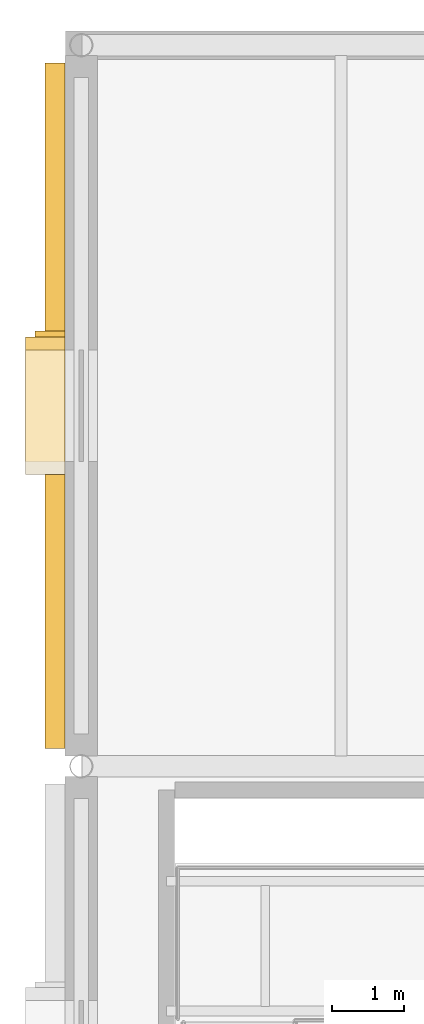
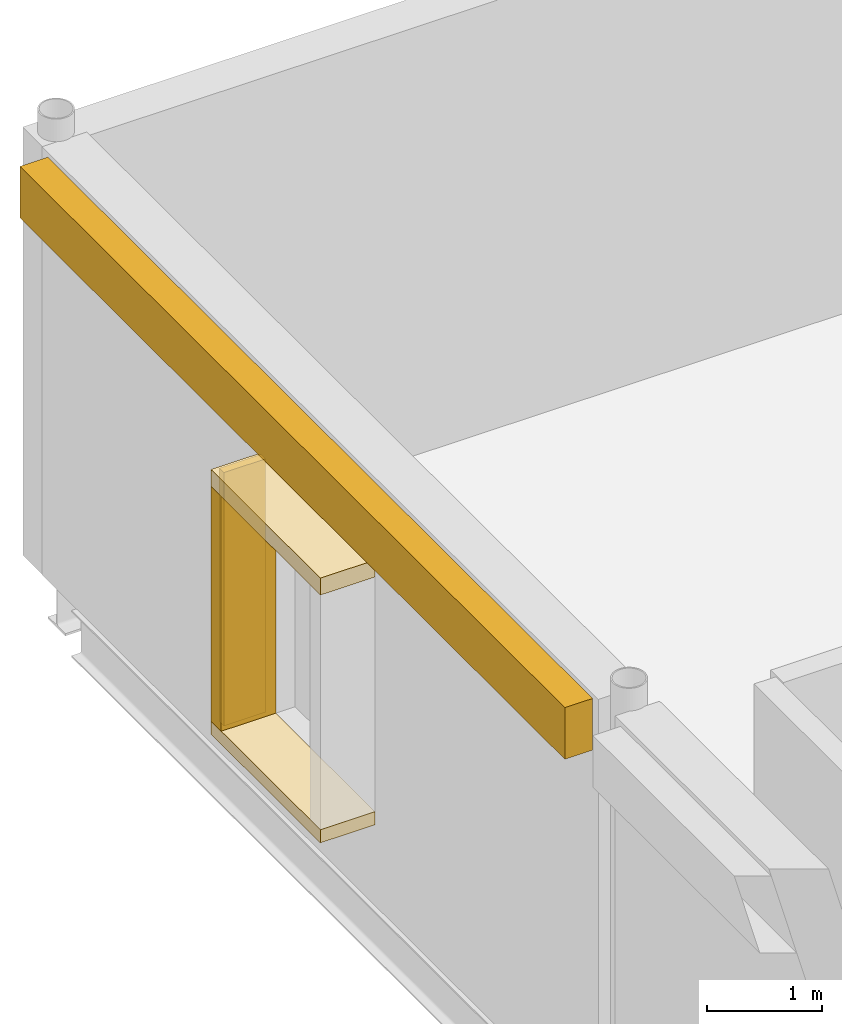
# One storey, part 90 of 92: 4 coverings, 1 shading device.
"""IFC4 building model written with IfcOpenShell, lengths in metres."""

from ifc_helpers import new_model, si_unit, direction, frame, origin, origin_2d, place, context, subcontext, project, spatial, rectangle, extrude, material, layer, layer_set, type_object, element, save


model = new_model("IFC4")

# Units and contexts
model_context = context("Model", 3, precision=1e-05, world=origin(), true_north=direction((0.0, 1.0)))
body_context = subcontext(model_context, "Body", "Model", "MODEL_VIEW")
ifc_project = project(units=[si_unit("LENGTHUNIT", "METRE"), si_unit("AREAUNIT", "SQUARE_METRE"), si_unit("VOLUMEUNIT", "CUBIC_METRE"), si_unit("PLANEANGLEUNIT", "RADIAN"), si_unit("MASSUNIT", "GRAM", prefix="KILO")], contexts=[model_context])

# Site, building, storey
site_placement = place(None, origin())
site = spatial("IfcSite", under=ifc_project, at=site_placement, CompositionType="ELEMENT")
building_placement = place(site_placement, origin())
building = spatial("IfcBuilding", under=site, at=building_placement, Name="Tasgan Crest Museum", CompositionType="ELEMENT")
storey_placement = place(building_placement, frame((0.0, 0.0, 4.800048828125)))
storey = spatial("IfcBuildingStorey", under=building, at=storey_placement, Name="L01", CompositionType="ELEMENT", Elevation=4.800048828125)

# Coverings
ifc_material_1 = material(Name="Honed Rose-Red Mongolian Granite", Category="masonry")
ifc_layer_1 = layer(ifc_material_1, 0.0400390625, Name="COV-GRANITE-ROSE")
ifc_layer_set_1 = layer_set([ifc_layer_1], Name="Honed Rose-Red Mongolian Granite")
covering_type_1 = type_object("IfcCoveringType", Name="COV-GRANITE-ROSE", PredefinedType="CLADDING", material=ifc_layer_set_1)
covering_1_placement = place(storey_placement, frame((-0.5, 107.864990234375, 1.0), z_axis=(0.0, 0.0, 1.0), x_axis=(0.0, -1.0, 0.0)))
element("IfcCovering", 1, at=covering_1_placement, inside=storey, type_object=covering_type_1, Name="Deep window reveal jamb L01-028", PredefinedType="CLADDING", context=body_context, shape_type="SweptSolid", body=[
    extrude(rectangle(XDim=0.179931640625, YDim=0.550048828125, at=origin_2d()), origin(), (0.0, 0.0, 1.0), 2.5),
])
ifc_material_2 = material(Name="Honed Buff Limestone", Category="masonry")
ifc_layer_2 = layer(ifc_material_2, 0.044921875, Name="COV-LIMESTONE-BUFF")
ifc_layer_set_2 = layer_set([ifc_layer_2], Name="Honed Buff Limestone")
covering_type_2 = type_object("IfcCoveringType", Name="COV-LIMESTONE-BUFF", PredefinedType="CLADDING", material=ifc_layer_set_2)
covering_2_placement = place(storey_placement, frame((-0.364990234375, 107.0, 3.9599609375), z_axis=(0.0, 0.0, 1.0), x_axis=(0.0, -1.0, 0.0)))
element("IfcCovering", 2, at=covering_2_placement, inside=storey, type_object=covering_type_2, Name="Stone frieze cladding L01", PredefinedType="CLADDING", context=body_context, shape_type="SweptSolid", body=[
    extrude(rectangle(XDim=9.510009765625, YDim=0.280029296875, at=origin_2d()), origin(), (0.0, 0.0, 1.0), 0.550048828125),
])
covering_3_placement = place(storey_placement, frame((-0.5, 107.0, 3.5), z_axis=(0.0, 0.0, 1.0), x_axis=(0.0, -1.0, 0.0)))
element("IfcCovering", 3, at=covering_3_placement, inside=storey, type_object=covering_type_2, Name="Deep window hood L01-028", PredefinedType="CLADDING", context=body_context, shape_type="SweptSolid", body=[
    extrude(rectangle(XDim=1.909912109375, YDim=0.550048828125, at=origin_2d()), origin(), (0.0, 0.0, 1.0), 0.179931640625),
])
covering_4_placement = place(storey_placement, frame((-0.5, 107.0, 0.85986328125), z_axis=(0.0, 0.0, 1.0), x_axis=(0.0, -1.0, 0.0)))
element("IfcCovering", 4, at=covering_4_placement, inside=storey, type_object=covering_type_2, Name="Deep window sill L01-028", PredefinedType="CLADDING", context=body_context, shape_type="SweptSolid", body=[
    extrude(rectangle(XDim=1.909912109375, YDim=0.550048828125, at=origin_2d()), origin(), (0.0, 0.0, 1.0), 0.139892578125),
])

# Shading device
ifc_material_3 = material(Name="Anodised Bronze Aluminium", Category="aluminium")
shading_device_type = type_object("IfcShadingDeviceType", Name="SH-FIN-V400", PredefinedType="JALOUSIE", material=ifc_material_3)
shading_device_placement = place(storey_placement, frame((-0.43505859375, 107.9951171875, 0.89990234375), z_axis=(0.0, 0.0, 1.0), x_axis=(0.0, -1.0, 0.0)))
element("IfcShadingDevice", 5, at=shading_device_placement, inside=storey, type_object=shading_device_type, Name="Solar shading fin L01-028", PredefinedType="JALOUSIE", context=body_context, shape_type="SweptSolid", body=[
    extrude(rectangle(XDim=0.080078125, YDim=0.419921875, at=origin_2d()), origin(), (0.0, 0.0, 1.0), 2.699951171875),
])

save(model, "model.ifc")
